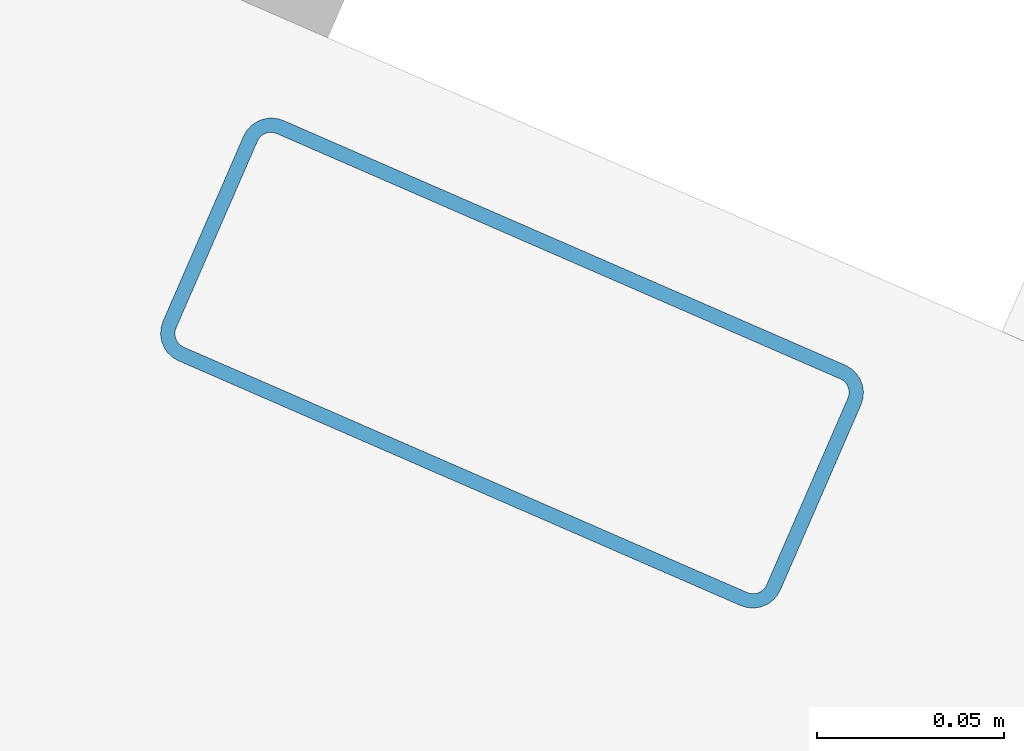
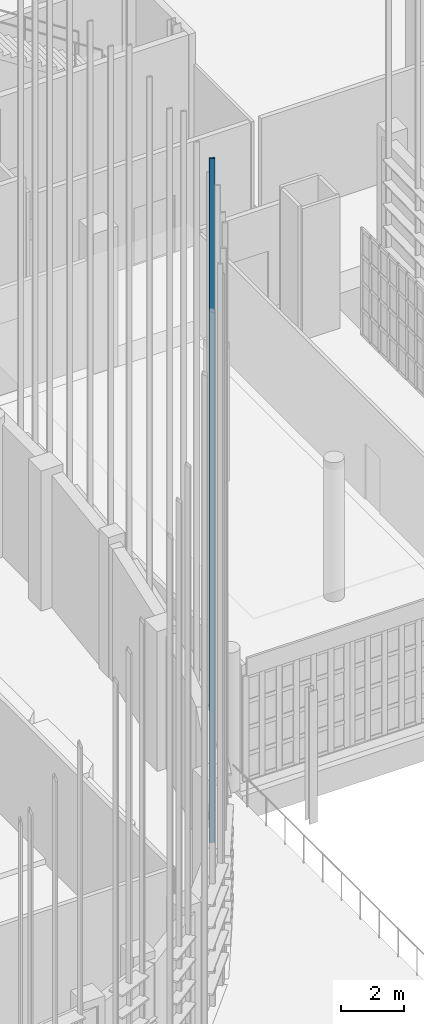
# One storey, part 104 of 372: 1 member.
"""IFC4 building model written with IfcOpenShell, lengths in metres."""

from ifc_helpers import new_model, si_unit, direction, frame, origin, origin_2d, place, context, subcontext, project, spatial, hollow_rectangle, extrude, material, material_profile, profile_set, type_object, element, save


model = new_model("IFC4")

# Units and contexts
model_context = context("Model", 3, precision=1e-05, world=origin(), true_north=direction((0.0, 1.0)))
body_context = subcontext(model_context, "Body", "Model", "MODEL_VIEW")
ifc_project = project(units=[si_unit("LENGTHUNIT", "METRE"), si_unit("AREAUNIT", "SQUARE_METRE"), si_unit("VOLUMEUNIT", "CUBIC_METRE"), si_unit("PLANEANGLEUNIT", "RADIAN"), si_unit("MASSUNIT", "GRAM", prefix="KILO")], contexts=[model_context])

# Site, building, storey
site_placement = place(None, origin())
site = spatial("IfcSite", under=ifc_project, at=site_placement, CompositionType="ELEMENT")
building_placement = place(site_placement, origin())
building = spatial("IfcBuilding", under=site, at=building_placement, Name="Kaelora Sail Theatre", CompositionType="ELEMENT")
storey_placement = place(building_placement, origin())
storey = spatial("IfcBuildingStorey", under=building, at=storey_placement, Name="L00", CompositionType="ELEMENT", Elevation=0.0)

# Member
ifc_material = material(Name="Anodised aluminium 6063-T6", Category="aluminium")
ifc_material_profile = material_profile(ifc_material, hollow_rectangle(XDim=0.070068359375, YDim=0.179931640625, WallThickness=0.00390625, InnerFilletRadius=0.00390625, OuterFilletRadius=0.008056640625, at=origin_2d()), Name="ALU-MULL 70x180x4")
ifc_profile_set = profile_set([ifc_material_profile], Name="Anodised aluminium 6063-T6")
member_type = type_object("IfcMemberType", Name="ARC-MEM-PST-160", PredefinedType="POST", material=ifc_profile_set)
member_placement = place(storey_placement, frame((56.19970703125, 36.35986328125, 0.0), z_axis=(0.0, 0.0, 1.0), x_axis=(-0.399229185776, -0.916851164162, 0.0)))
element("IfcMember", 1, at=member_placement, inside=storey, type_object=member_type, Name="Main Theatre Sail Drum solar louvre vertical support post C6-1", PredefinedType="POST", context=body_context, shape_type="SweptSolid", body=[
    extrude(hollow_rectangle(XDim=0.070068359375, YDim=0.179931640625, WallThickness=0.00390625, InnerFilletRadius=0.00390625, OuterFilletRadius=0.008056640625, at=origin_2d()), origin(), (0.0, 0.0, 1.0), 26.402099609375),
])

save(model, "model.ifc")
